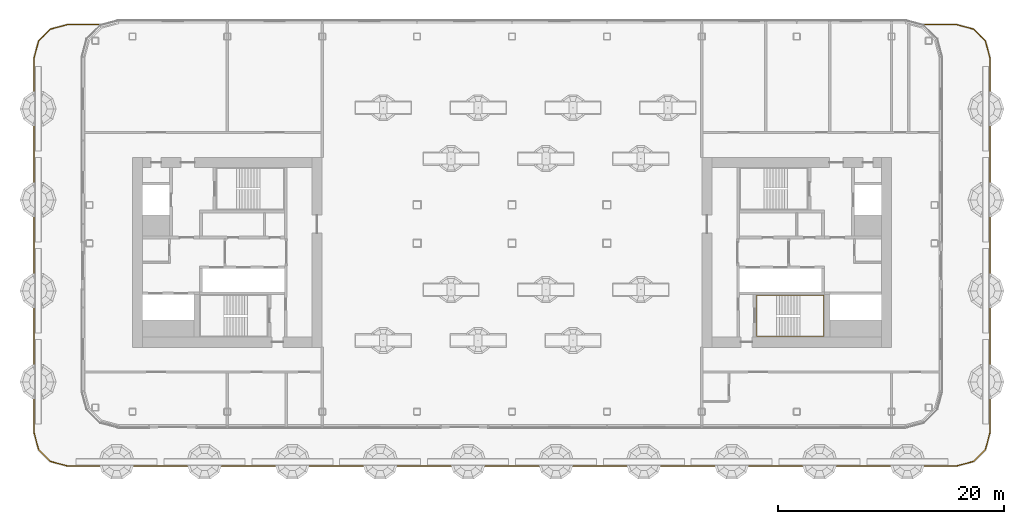
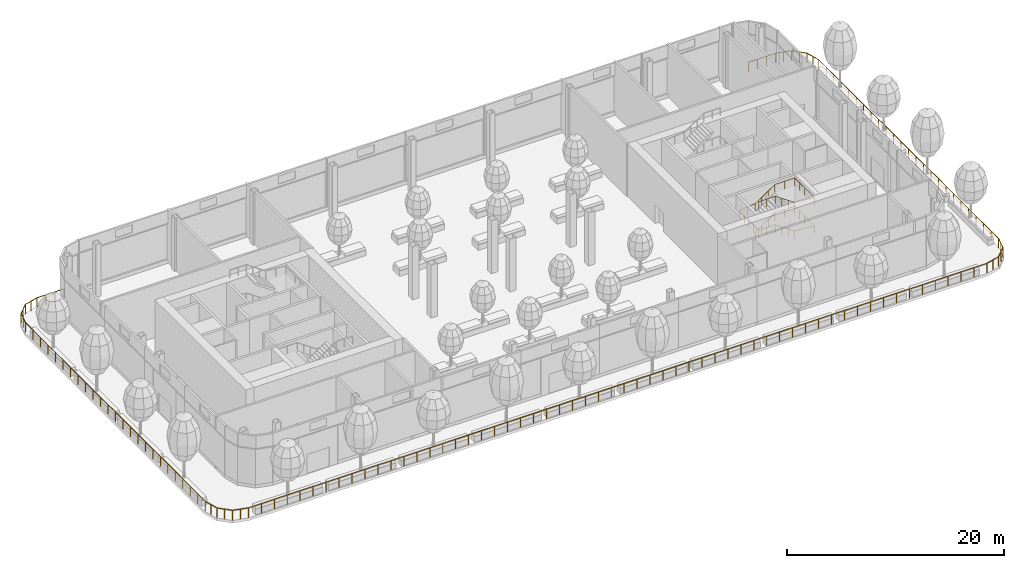
# One storey, part 32 of 41: 2 railings.
"""IFC4 building model written with IfcOpenShell, lengths in metres."""

from ifc_helpers import new_model, si_unit, direction, frame, origin, origin_2d, place, context, subcontext, project, spatial, circle, extrude, material, type_object, element, save


model = new_model("IFC4")

# Units and contexts
model_context = context("Model", 3, precision=1e-05, world=origin(), true_north=direction((0.0, 1.0)))
body_context = subcontext(model_context, "Body", "Model", "MODEL_VIEW")
ifc_project = project(units=[si_unit("LENGTHUNIT", "METRE"), si_unit("AREAUNIT", "SQUARE_METRE"), si_unit("VOLUMEUNIT", "CUBIC_METRE"), si_unit("PLANEANGLEUNIT", "RADIAN"), si_unit("MASSUNIT", "GRAM", prefix="KILO")], contexts=[model_context])

# Site, building, storey
site_placement = place(None, origin())
site = spatial("IfcSite", under=ifc_project, at=site_placement, CompositionType="ELEMENT")
building_placement = place(site_placement, origin())
building = spatial("IfcBuilding", under=site, at=building_placement, Name="Hakoniwa Tower and Hamabe Station Hall", CompositionType="ELEMENT")
storey_placement = place(building_placement, frame((0.0, 0.0, 180.199951171875)))
storey = spatial("IfcBuildingStorey", under=building, at=storey_placement, Name="L51", CompositionType="ELEMENT", Elevation=180.199951171875)

# Railings
ifc_material_1 = material(Name="Stainless steel SUS304", Category="steel")
railing_type_1 = type_object("IfcRailingType", Name="STAIR HANDRAIL 900", PredefinedType="HANDRAIL", material=ifc_material_1)
railing_1_placement = place(storey_placement, frame((23.39990234375, -3.81005859375, 0.177734375)))
element("IfcRailing", 1, at=railing_1_placement, inside=storey, type_object=railing_type_1, Name="Handrail ST-4 L51 1", PredefinedType="HANDRAIL", context=body_context, shape_type="SweptSolid", body=[
    extrude(circle(Radius=0.02392578125, at=origin_2d()), frame((0.0, 0.0, 0.8759765625), z_axis=(0.825464074169, 0.0, 0.564454659168), x_axis=(0.0, 1.0, 0.0)), (0.0, 0.0, 1.0), 2.519775390625),
    extrude(circle(Radius=0.02392578125, at=origin_2d()), frame((2.080078125, 0.0, 2.29833984375), z_axis=(1.0, 0.0, 0.0), x_axis=(0.0, 1.0, 0.0)), (0.0, 0.0, 1.0), 2.110107421875),
    extrude(circle(Radius=0.02392578125, at=origin_2d()), frame((4.190185546875, 0.0, 2.29833984375), z_axis=(0.0, -1.0, 0.0), x_axis=(1.0, 0.0, 0.0)), (0.0, 0.0, 1.0), 3.6298828125),
    extrude(circle(Radius=0.02392578125, at=origin_2d()), frame((4.190185546875, -3.6298828125, 2.29833984375), z_axis=(-0.996471417081, 0.0, 0.083932800143), x_axis=(0.0, -1.0, 0.0)), (0.0, 0.0, 1.0), 2.11767578125),
    extrude(circle(Radius=0.02392578125, at=origin_2d()), frame((2.080078125, -3.6298828125, 2.47607421875), z_axis=(-0.82550921652, 0.0, 0.564388636881), x_axis=(0.0, -1.0, 0.0)), (0.0, 0.0, 1.0), 2.519775390625),
    extrude(circle(Radius=0.02392578125, at=origin_2d()), frame((0.0, -3.6298828125, 3.89794921875), z_axis=(-1.0, 0.0, 0.0), x_axis=(0.0, -1.0, 0.0)), (0.0, 0.0, 1.0), 1.739990234375),
    extrude(circle(Radius=0.02392578125, at=origin_2d()), frame((-1.739990234375, -3.6298828125, 3.89794921875), z_axis=(0.0, 1.0, 0.0), x_axis=(-1.0, 0.0, 0.0)), (0.0, 0.0, 1.0), 3.6298828125),
    extrude(circle(Radius=0.02392578125, at=origin_2d()), frame((-1.739990234375, 0.0, 3.89794921875), z_axis=(0.994809372355, 0.0, 0.10175614318), x_axis=(0.0, 1.0, 0.0)), (0.0, 0.0, 1.0), 1.7490234375),
    extrude(circle(Radius=0.02392578125, at=origin_2d()), frame((0.0, 0.0, 4.076171875), z_axis=(0.82550921652, 0.0, 0.564388636881), x_axis=(0.0, 1.0, 0.0)), (0.0, 0.0, 1.0), 2.519775390625),
    extrude(circle(Radius=0.02392578125, at=origin_2d()), frame((2.080078125, 0.0, 5.498046875), z_axis=(1.0, 0.0, 0.0), x_axis=(0.0, 1.0, 0.0)), (0.0, 0.0, 1.0), 2.110107421875),
    extrude(circle(Radius=0.02392578125, at=origin_2d()), frame((4.190185546875, 0.0, 5.498046875), z_axis=(0.0, -1.0, 0.0), x_axis=(1.0, 0.0, 0.0)), (0.0, 0.0, 1.0), 3.6298828125),
    extrude(circle(Radius=0.02392578125, at=origin_2d()), frame((4.190185546875, -3.6298828125, 5.498046875), z_axis=(-0.996471417081, 0.0, 0.083932800143), x_axis=(0.0, -1.0, 0.0)), (0.0, 0.0, 1.0), 2.11767578125),
    extrude(circle(Radius=0.02392578125, at=origin_2d()), frame((2.080078125, -3.6298828125, 5.67578125), z_axis=(-0.825464074169, 0.0, 0.564454659168), x_axis=(0.0, -1.0, 0.0)), (0.0, 0.0, 1.0), 2.519775390625),
    extrude(circle(Radius=0.02392578125, at=origin_2d()), frame((0.0, -3.6298828125, 7.09814453125), z_axis=(-1.0, 0.0, 0.0), x_axis=(0.0, -1.0, 0.0)), (0.0, 0.0, 1.0), 1.739990234375),
    extrude(circle(Radius=0.02099609375, at=origin_2d()), origin(), (0.0, 0.0, 1.0), 0.851806640625),
    extrude(circle(Radius=0.02099609375, at=origin_2d()), frame((0.693359375, 0.0, 0.47412109375)), (0.0, 0.0, 1.0), 0.851806640625),
    extrude(circle(Radius=0.02099609375, at=origin_2d()), frame((1.38671875, 0.0, 0.9482421875)), (0.0, 0.0, 1.0), 0.851806640625),
    extrude(circle(Radius=0.02099609375, at=origin_2d()), frame((2.080078125, 0.0, 1.42236328125)), (0.0, 0.0, 1.0), 0.851806640625),
    extrude(circle(Radius=0.02099609375, at=origin_2d()), frame((3.13525390625, 0.0, 1.42236328125)), (0.0, 0.0, 1.0), 0.851806640625),
    extrude(circle(Radius=0.02099609375, at=origin_2d()), frame((4.190185546875, 0.0, 1.42236328125)), (0.0, 0.0, 1.0), 0.851806640625),
    extrude(circle(Radius=0.02099609375, at=origin_2d()), frame((4.190185546875, -0.907470703125, 1.42236328125)), (0.0, 0.0, 1.0), 0.851806640625),
    extrude(circle(Radius=0.02099609375, at=origin_2d()), frame((4.190185546875, -1.81494140625, 1.42236328125)), (0.0, 0.0, 1.0), 0.851806640625),
    extrude(circle(Radius=0.02099609375, at=origin_2d()), frame((4.190185546875, -2.722412109375, 1.42236328125)), (0.0, 0.0, 1.0), 0.851806640625),
    extrude(circle(Radius=0.02099609375, at=origin_2d()), frame((4.190185546875, -3.6298828125, 1.42236328125)), (0.0, 0.0, 1.0), 0.851806640625),
    extrude(circle(Radius=0.02099609375, at=origin_2d()), frame((3.13525390625, -3.6298828125, 1.51123046875)), (0.0, 0.0, 1.0), 0.851806640625),
    extrude(circle(Radius=0.02099609375, at=origin_2d()), frame((2.080078125, -3.6298828125, 1.60009765625)), (0.0, 0.0, 1.0), 0.851806640625),
    extrude(circle(Radius=0.02099609375, at=origin_2d()), frame((1.38671875, -3.6298828125, 2.07421875)), (0.0, 0.0, 1.0), 0.851806640625),
    extrude(circle(Radius=0.02099609375, at=origin_2d()), frame((0.693359375, -3.6298828125, 2.548095703125)), (0.0, 0.0, 1.0), 0.851806640625),
    extrude(circle(Radius=0.02099609375, at=origin_2d()), frame((0.0, -3.6298828125, 3.022216796875)), (0.0, 0.0, 1.0), 0.851806640625),
    extrude(circle(Radius=0.02099609375, at=origin_2d()), frame((-0.8701171875, -3.6298828125, 3.022216796875)), (0.0, 0.0, 1.0), 0.851806640625),
    extrude(circle(Radius=0.02099609375, at=origin_2d()), frame((-1.739990234375, -3.6298828125, 3.022216796875)), (0.0, 0.0, 1.0), 0.851806640625),
    extrude(circle(Radius=0.02099609375, at=origin_2d()), frame((-1.739990234375, -2.722412109375, 3.022216796875)), (0.0, 0.0, 1.0), 0.851806640625),
    extrude(circle(Radius=0.02099609375, at=origin_2d()), frame((-1.739990234375, -1.81494140625, 3.022216796875)), (0.0, 0.0, 1.0), 0.851806640625),
    extrude(circle(Radius=0.02099609375, at=origin_2d()), frame((-1.739990234375, -0.907470703125, 3.022216796875)), (0.0, 0.0, 1.0), 0.851806640625),
    extrude(circle(Radius=0.02099609375, at=origin_2d()), frame((-1.739990234375, 0.0, 3.022216796875)), (0.0, 0.0, 1.0), 0.851806640625),
    extrude(circle(Radius=0.02099609375, at=origin_2d()), frame((-0.8701171875, 0.0, 3.111328125)), (0.0, 0.0, 1.0), 0.851806640625),
    extrude(circle(Radius=0.02099609375, at=origin_2d()), frame((0.0, 0.0, 3.2001953125)), (0.0, 0.0, 1.0), 0.851806640625),
    extrude(circle(Radius=0.02099609375, at=origin_2d()), frame((0.693359375, 0.0, 3.67431640625)), (0.0, 0.0, 1.0), 0.851806640625),
    extrude(circle(Radius=0.02099609375, at=origin_2d()), frame((1.38671875, 0.0, 4.148193359375)), (0.0, 0.0, 1.0), 0.851806640625),
    extrude(circle(Radius=0.02099609375, at=origin_2d()), frame((2.080078125, 0.0, 4.622314453125)), (0.0, 0.0, 1.0), 0.851806640625),
    extrude(circle(Radius=0.02099609375, at=origin_2d()), frame((3.13525390625, 0.0, 4.622314453125)), (0.0, 0.0, 1.0), 0.851806640625),
    extrude(circle(Radius=0.02099609375, at=origin_2d()), frame((4.190185546875, 0.0, 4.622314453125)), (0.0, 0.0, 1.0), 0.851806640625),
    extrude(circle(Radius=0.02099609375, at=origin_2d()), frame((4.190185546875, -0.907470703125, 4.622314453125)), (0.0, 0.0, 1.0), 0.851806640625),
    extrude(circle(Radius=0.02099609375, at=origin_2d()), frame((4.190185546875, -1.81494140625, 4.622314453125)), (0.0, 0.0, 1.0), 0.851806640625),
    extrude(circle(Radius=0.02099609375, at=origin_2d()), frame((4.190185546875, -2.722412109375, 4.622314453125)), (0.0, 0.0, 1.0), 0.851806640625),
    extrude(circle(Radius=0.02099609375, at=origin_2d()), frame((4.190185546875, -3.6298828125, 4.622314453125)), (0.0, 0.0, 1.0), 0.851806640625),
    extrude(circle(Radius=0.02099609375, at=origin_2d()), frame((3.13525390625, -3.6298828125, 4.711181640625)), (0.0, 0.0, 1.0), 0.851806640625),
    extrude(circle(Radius=0.02099609375, at=origin_2d()), frame((2.080078125, -3.6298828125, 4.800048828125)), (0.0, 0.0, 1.0), 0.851806640625),
    extrude(circle(Radius=0.02099609375, at=origin_2d()), frame((1.38671875, -3.6298828125, 5.274169921875)), (0.0, 0.0, 1.0), 0.851806640625),
    extrude(circle(Radius=0.02099609375, at=origin_2d()), frame((0.693359375, -3.6298828125, 5.748291015625)), (0.0, 0.0, 1.0), 0.851806640625),
    extrude(circle(Radius=0.02099609375, at=origin_2d()), frame((0.0, -3.6298828125, 6.222412109375)), (0.0, 0.0, 1.0), 0.851806640625),
    extrude(circle(Radius=0.02099609375, at=origin_2d()), frame((-0.8701171875, -3.6298828125, 6.222412109375)), (0.0, 0.0, 1.0), 0.851806640625),
    extrude(circle(Radius=0.02099609375, at=origin_2d()), frame((-1.739990234375, -3.6298828125, 6.222412109375)), (0.0, 0.0, 1.0), 0.851806640625),
])
ifc_material_2 = material(Name="Stainless steel and laminated glass", Category="steel")
railing_type_2 = type_object("IfcRailingType", Name="TERRACE BALUSTRADE 1100", PredefinedType="BALUSTRADE", material=ifc_material_2)
railing_2_placement = place(storey_placement, frame((-36.5, 20.15087890625, 0.0)))
element("IfcRailing", 2, at=railing_2_placement, inside=storey, type_object=railing_type_2, Name="Terrace balustrade", PredefinedType="BALUSTRADE", context=body_context, shape_type="SweptSolid", body=[
    extrude(circle(Radius=0.02392578125, at=origin_2d()), frame((0.0, 0.0, 1.076171875), z_axis=(-1.0, 0.0, 0.0), x_axis=(0.0, -1.0, 0.0)), (0.0, 0.0, 1.0), 2.886962890625),
    extrude(circle(Radius=0.02392578125, at=origin_2d()), frame((-2.886962890625, 0.0, 1.076171875), z_axis=(-0.965934369252, -0.258787160227, 0.0), x_axis=(0.258787160227, -0.965934369252, 0.0)), (0.0, 0.0, 1.0), 1.51318359375),
    extrude(circle(Radius=0.02392578125, at=origin_2d()), frame((-4.3486328125, -0.3916015625, 1.076171875), z_axis=(-0.707106781187, -0.707106781187, 0.0), x_axis=(0.707106781187, -0.707106781187, 0.0)), (0.0, 0.0, 1.0), 1.499755859375),
    extrude(circle(Radius=0.02392578125, at=origin_2d()), frame((-5.4091796875, -1.4521484375, 1.076171875), z_axis=(-0.258937684451, -0.965894029162, 0.0), x_axis=(0.965894029162, -0.258937684451, 0.0)), (0.0, 0.0, 1.0), 1.51318359375),
    extrude(circle(Radius=0.02392578125, at=origin_2d()), frame((-5.801025390625, -2.913818359375, 1.076171875), z_axis=(0.0, -1.0, 0.0), x_axis=(1.0, 0.0, 0.0)), (0.0, 0.0, 1.0), 33.223876953125),
    extrude(circle(Radius=0.02392578125, at=origin_2d()), frame((-5.801025390625, -36.1376953125, 1.076171875), z_axis=(0.258897340379, -0.965904843732, 0.0), x_axis=(0.965904843732, 0.258897340379, 0.0)), (0.0, 0.0, 1.0), 1.513427734375),
    extrude(circle(Radius=0.02392578125, at=origin_2d()), frame((-5.4091796875, -37.599609375, 1.076171875), z_axis=(0.707106781187, -0.707106781187, 0.0), x_axis=(0.707106781187, 0.707106781187, 0.0)), (0.0, 0.0, 1.0), 1.499755859375),
    extrude(circle(Radius=0.02392578125, at=origin_2d()), frame((-4.3486328125, -38.66015625, 1.076171875), z_axis=(0.965945171702, -0.258746836241, 0.0), x_axis=(0.258746836241, 0.965945171702, 0.0)), (0.0, 0.0, 1.0), 1.513427734375),
    extrude(circle(Radius=0.02392578125, at=origin_2d()), frame((-2.88671875, -39.0517578125, 1.076171875), z_axis=(1.0, 0.0, 0.0), x_axis=(0.0, 1.0, 0.0)), (0.0, 0.0, 1.0), 78.7734375),
    extrude(circle(Radius=0.02392578125, at=origin_2d()), frame((75.88671875, -39.0517578125, 1.076171875), z_axis=(0.965945171702, 0.258746836241, 0.0), x_axis=(-0.258746836241, 0.965945171702, 0.0)), (0.0, 0.0, 1.0), 1.513427734375),
    extrude(circle(Radius=0.02392578125, at=origin_2d()), frame((77.3486328125, -38.66015625, 1.076171875), z_axis=(0.707106781187, 0.707106781187, 0.0), x_axis=(-0.707106781187, 0.707106781187, 0.0)), (0.0, 0.0, 1.0), 1.499755859375),
    extrude(circle(Radius=0.02392578125, at=origin_2d()), frame((78.4091796875, -37.599609375, 1.076171875), z_axis=(0.258897340379, 0.965904843732, 0.0), x_axis=(-0.965904843732, 0.258897340379, 0.0)), (0.0, 0.0, 1.0), 1.513427734375),
    extrude(circle(Radius=0.02392578125, at=origin_2d()), frame((78.801025390625, -36.1376953125, 1.076171875), z_axis=(0.0, 1.0, 0.0), x_axis=(-1.0, 0.0, 0.0)), (0.0, 0.0, 1.0), 33.2236328125),
    extrude(circle(Radius=0.02392578125, at=origin_2d()), frame((78.801025390625, -2.9140625, 1.076171875), z_axis=(-0.258787160227, 0.965934369252, 0.0), x_axis=(-0.965934369252, -0.258787160227, 0.0)), (0.0, 0.0, 1.0), 1.51318359375),
    extrude(circle(Radius=0.02392578125, at=origin_2d()), frame((78.409423828125, -1.452392578125, 1.076171875), z_axis=(-0.707025396969, 0.707188156038, 0.0), x_axis=(-0.707188156038, -0.707025396969, 0.0)), (0.0, 0.0, 1.0), 1.5),
    extrude(circle(Radius=0.02392578125, at=origin_2d()), frame((77.348876953125, -0.3916015625, 1.076171875), z_axis=(-0.965945171702, 0.258746836241, 0.0), x_axis=(-0.258746836241, -0.965945171702, 0.0)), (0.0, 0.0, 1.0), 1.513427734375),
    extrude(circle(Radius=0.02392578125, at=origin_2d()), frame((75.886962890625, 0.0, 1.076171875), z_axis=(-1.0, 0.0, 0.0), x_axis=(0.0, -1.0, 0.0)), (0.0, 0.0, 1.0), 2.886962890625),
    extrude(circle(Radius=0.02099609375, at=origin_2d()), origin(), (0.0, 0.0, 1.0), 1.052001953125),
    extrude(circle(Radius=0.02099609375, at=origin_2d()), frame((-0.96240234375, 0.0, 0.0)), (0.0, 0.0, 1.0), 1.052001953125),
    extrude(circle(Radius=0.02099609375, at=origin_2d()), frame((-1.924560546875, 0.0, 0.0)), (0.0, 0.0, 1.0), 1.052001953125),
    extrude(circle(Radius=0.02099609375, at=origin_2d()), frame((-2.886962890625, 0.0, 0.0)), (0.0, 0.0, 1.0), 1.052001953125),
    extrude(circle(Radius=0.02099609375, at=origin_2d()), frame((-3.61767578125, -0.19580078125, 0.0)), (0.0, 0.0, 1.0), 1.052001953125),
    extrude(circle(Radius=0.02099609375, at=origin_2d()), frame((-4.3486328125, -0.3916015625, 0.0)), (0.0, 0.0, 1.0), 1.052001953125),
    extrude(circle(Radius=0.02099609375, at=origin_2d()), frame((-4.87890625, -0.921875, 0.0)), (0.0, 0.0, 1.0), 1.052001953125),
    extrude(circle(Radius=0.02099609375, at=origin_2d()), frame((-5.4091796875, -1.4521484375, 0.0)), (0.0, 0.0, 1.0), 1.052001953125),
    extrude(circle(Radius=0.02099609375, at=origin_2d()), frame((-5.60498046875, -2.18310546875, 0.0)), (0.0, 0.0, 1.0), 1.052001953125),
    extrude(circle(Radius=0.02099609375, at=origin_2d()), frame((-5.801025390625, -2.913818359375, 0.0)), (0.0, 0.0, 1.0), 1.052001953125),
    extrude(circle(Radius=0.02099609375, at=origin_2d()), frame((-5.801025390625, -4.298095703125, 0.0)), (0.0, 0.0, 1.0), 1.052001953125),
    extrude(circle(Radius=0.02099609375, at=origin_2d()), frame((-5.801025390625, -5.682373046875, 0.0)), (0.0, 0.0, 1.0), 1.052001953125),
    extrude(circle(Radius=0.02099609375, at=origin_2d()), frame((-5.801025390625, -7.06689453125, 0.0)), (0.0, 0.0, 1.0), 1.052001953125),
    extrude(circle(Radius=0.02099609375, at=origin_2d()), frame((-5.801025390625, -8.451171875, 0.0)), (0.0, 0.0, 1.0), 1.052001953125),
    extrude(circle(Radius=0.02099609375, at=origin_2d()), frame((-5.801025390625, -9.83544921875, 0.0)), (0.0, 0.0, 1.0), 1.052001953125),
    extrude(circle(Radius=0.02099609375, at=origin_2d()), frame((-5.801025390625, -11.2197265625, 0.0)), (0.0, 0.0, 1.0), 1.052001953125),
    extrude(circle(Radius=0.02099609375, at=origin_2d()), frame((-5.801025390625, -12.60400390625, 0.0)), (0.0, 0.0, 1.0), 1.052001953125),
    extrude(circle(Radius=0.02099609375, at=origin_2d()), frame((-5.801025390625, -13.988525390625, 0.0)), (0.0, 0.0, 1.0), 1.052001953125),
    extrude(circle(Radius=0.02099609375, at=origin_2d()), frame((-5.801025390625, -15.372802734375, 0.0)), (0.0, 0.0, 1.0), 1.052001953125),
    extrude(circle(Radius=0.02099609375, at=origin_2d()), frame((-5.801025390625, -16.757080078125, 0.0)), (0.0, 0.0, 1.0), 1.052001953125),
    extrude(circle(Radius=0.02099609375, at=origin_2d()), frame((-5.801025390625, -18.141357421875, 0.0)), (0.0, 0.0, 1.0), 1.052001953125),
    extrude(circle(Radius=0.02099609375, at=origin_2d()), frame((-5.801025390625, -19.52587890625, 0.0)), (0.0, 0.0, 1.0), 1.052001953125),
    extrude(circle(Radius=0.02099609375, at=origin_2d()), frame((-5.801025390625, -20.91015625, 0.0)), (0.0, 0.0, 1.0), 1.052001953125),
    extrude(circle(Radius=0.02099609375, at=origin_2d()), frame((-5.801025390625, -22.29443359375, 0.0)), (0.0, 0.0, 1.0), 1.052001953125),
    extrude(circle(Radius=0.02099609375, at=origin_2d()), frame((-5.801025390625, -23.6787109375, 0.0)), (0.0, 0.0, 1.0), 1.052001953125),
    extrude(circle(Radius=0.02099609375, at=origin_2d()), frame((-5.801025390625, -25.06298828125, 0.0)), (0.0, 0.0, 1.0), 1.052001953125),
    extrude(circle(Radius=0.02099609375, at=origin_2d()), frame((-5.801025390625, -26.447509765625, 0.0)), (0.0, 0.0, 1.0), 1.052001953125),
    extrude(circle(Radius=0.02099609375, at=origin_2d()), frame((-5.801025390625, -27.831787109375, 0.0)), (0.0, 0.0, 1.0), 1.052001953125),
    extrude(circle(Radius=0.02099609375, at=origin_2d()), frame((-5.801025390625, -29.216064453125, 0.0)), (0.0, 0.0, 1.0), 1.052001953125),
    extrude(circle(Radius=0.02099609375, at=origin_2d()), frame((-5.801025390625, -30.600341796875, 0.0)), (0.0, 0.0, 1.0), 1.052001953125),
    extrude(circle(Radius=0.02099609375, at=origin_2d()), frame((-5.801025390625, -31.984619140625, 0.0)), (0.0, 0.0, 1.0), 1.052001953125),
    extrude(circle(Radius=0.02099609375, at=origin_2d()), frame((-5.801025390625, -33.369140625, 0.0)), (0.0, 0.0, 1.0), 1.052001953125),
    extrude(circle(Radius=0.02099609375, at=origin_2d()), frame((-5.801025390625, -34.75341796875, 0.0)), (0.0, 0.0, 1.0), 1.052001953125),
    extrude(circle(Radius=0.02099609375, at=origin_2d()), frame((-5.801025390625, -36.1376953125, 0.0)), (0.0, 0.0, 1.0), 1.052001953125),
    extrude(circle(Radius=0.02099609375, at=origin_2d()), frame((-5.60498046875, -36.86865234375, 0.0)), (0.0, 0.0, 1.0), 1.052001953125),
    extrude(circle(Radius=0.02099609375, at=origin_2d()), frame((-5.4091796875, -37.599609375, 0.0)), (0.0, 0.0, 1.0), 1.052001953125),
    extrude(circle(Radius=0.02099609375, at=origin_2d()), frame((-4.87890625, -38.1298828125, 0.0)), (0.0, 0.0, 1.0), 1.052001953125),
    extrude(circle(Radius=0.02099609375, at=origin_2d()), frame((-4.3486328125, -38.66015625, 0.0)), (0.0, 0.0, 1.0), 1.052001953125),
    extrude(circle(Radius=0.02099609375, at=origin_2d()), frame((-3.61767578125, -38.85595703125, 0.0)), (0.0, 0.0, 1.0), 1.052001953125),
    extrude(circle(Radius=0.02099609375, at=origin_2d()), frame((-2.88671875, -39.0517578125, 0.0)), (0.0, 0.0, 1.0), 1.052001953125),
    extrude(circle(Radius=0.02099609375, at=origin_2d()), frame((-1.504638671875, -39.0517578125, 0.0)), (0.0, 0.0, 1.0), 1.052001953125),
    extrude(circle(Radius=0.02099609375, at=origin_2d()), frame((-0.122802734375, -39.0517578125, 0.0)), (0.0, 0.0, 1.0), 1.052001953125),
    extrude(circle(Radius=0.02099609375, at=origin_2d()), frame((1.25927734375, -39.0517578125, 0.0)), (0.0, 0.0, 1.0), 1.052001953125),
    extrude(circle(Radius=0.02099609375, at=origin_2d()), frame((2.641357421875, -39.0517578125, 0.0)), (0.0, 0.0, 1.0), 1.052001953125),
    extrude(circle(Radius=0.02099609375, at=origin_2d()), frame((4.023193359375, -39.0517578125, 0.0)), (0.0, 0.0, 1.0), 1.052001953125),
    extrude(circle(Radius=0.02099609375, at=origin_2d()), frame((5.4052734375, -39.0517578125, 0.0)), (0.0, 0.0, 1.0), 1.052001953125),
    extrude(circle(Radius=0.02099609375, at=origin_2d()), frame((6.787109375, -39.0517578125, 0.0)), (0.0, 0.0, 1.0), 1.052001953125),
    extrude(circle(Radius=0.02099609375, at=origin_2d()), frame((8.169189453125, -39.0517578125, 0.0)), (0.0, 0.0, 1.0), 1.052001953125),
    extrude(circle(Radius=0.02099609375, at=origin_2d()), frame((9.55126953125, -39.0517578125, 0.0)), (0.0, 0.0, 1.0), 1.052001953125),
    extrude(circle(Radius=0.02099609375, at=origin_2d()), frame((10.93310546875, -39.0517578125, 0.0)), (0.0, 0.0, 1.0), 1.052001953125),
    extrude(circle(Radius=0.02099609375, at=origin_2d()), frame((12.315185546875, -39.0517578125, 0.0)), (0.0, 0.0, 1.0), 1.052001953125),
    extrude(circle(Radius=0.02099609375, at=origin_2d()), frame((13.697265625, -39.0517578125, 0.0)), (0.0, 0.0, 1.0), 1.052001953125),
    extrude(circle(Radius=0.02099609375, at=origin_2d()), frame((15.0791015625, -39.0517578125, 0.0)), (0.0, 0.0, 1.0), 1.052001953125),
    extrude(circle(Radius=0.02099609375, at=origin_2d()), frame((16.461181640625, -39.0517578125, 0.0)), (0.0, 0.0, 1.0), 1.052001953125),
    extrude(circle(Radius=0.02099609375, at=origin_2d()), frame((17.843017578125, -39.0517578125, 0.0)), (0.0, 0.0, 1.0), 1.052001953125),
    extrude(circle(Radius=0.02099609375, at=origin_2d()), frame((19.22509765625, -39.0517578125, 0.0)), (0.0, 0.0, 1.0), 1.052001953125),
    extrude(circle(Radius=0.02099609375, at=origin_2d()), frame((20.607177734375, -39.0517578125, 0.0)), (0.0, 0.0, 1.0), 1.052001953125),
    extrude(circle(Radius=0.02099609375, at=origin_2d()), frame((21.989013671875, -39.0517578125, 0.0)), (0.0, 0.0, 1.0), 1.052001953125),
    extrude(circle(Radius=0.02099609375, at=origin_2d()), frame((23.37109375, -39.0517578125, 0.0)), (0.0, 0.0, 1.0), 1.052001953125),
    extrude(circle(Radius=0.02099609375, at=origin_2d()), frame((24.753173828125, -39.0517578125, 0.0)), (0.0, 0.0, 1.0), 1.052001953125),
    extrude(circle(Radius=0.02099609375, at=origin_2d()), frame((26.135009765625, -39.0517578125, 0.0)), (0.0, 0.0, 1.0), 1.052001953125),
    extrude(circle(Radius=0.02099609375, at=origin_2d()), frame((27.51708984375, -39.0517578125, 0.0)), (0.0, 0.0, 1.0), 1.052001953125),
    extrude(circle(Radius=0.02099609375, at=origin_2d()), frame((28.899169921875, -39.0517578125, 0.0)), (0.0, 0.0, 1.0), 1.052001953125),
    extrude(circle(Radius=0.02099609375, at=origin_2d()), frame((30.281005859375, -39.0517578125, 0.0)), (0.0, 0.0, 1.0), 1.052001953125),
    extrude(circle(Radius=0.02099609375, at=origin_2d()), frame((31.6630859375, -39.0517578125, 0.0)), (0.0, 0.0, 1.0), 1.052001953125),
    extrude(circle(Radius=0.02099609375, at=origin_2d()), frame((33.044921875, -39.0517578125, 0.0)), (0.0, 0.0, 1.0), 1.052001953125),
    extrude(circle(Radius=0.02099609375, at=origin_2d()), frame((34.427001953125, -39.0517578125, 0.0)), (0.0, 0.0, 1.0), 1.052001953125),
    extrude(circle(Radius=0.02099609375, at=origin_2d()), frame((35.80908203125, -39.0517578125, 0.0)), (0.0, 0.0, 1.0), 1.052001953125),
    extrude(circle(Radius=0.02099609375, at=origin_2d()), frame((37.19091796875, -39.0517578125, 0.0)), (0.0, 0.0, 1.0), 1.052001953125),
    extrude(circle(Radius=0.02099609375, at=origin_2d()), frame((38.572998046875, -39.0517578125, 0.0)), (0.0, 0.0, 1.0), 1.052001953125),
    extrude(circle(Radius=0.02099609375, at=origin_2d()), frame((39.955078125, -39.0517578125, 0.0)), (0.0, 0.0, 1.0), 1.052001953125),
    extrude(circle(Radius=0.02099609375, at=origin_2d()), frame((41.3369140625, -39.0517578125, 0.0)), (0.0, 0.0, 1.0), 1.052001953125),
    extrude(circle(Radius=0.02099609375, at=origin_2d()), frame((42.718994140625, -39.0517578125, 0.0)), (0.0, 0.0, 1.0), 1.052001953125),
    extrude(circle(Radius=0.02099609375, at=origin_2d()), frame((44.100830078125, -39.0517578125, 0.0)), (0.0, 0.0, 1.0), 1.052001953125),
    extrude(circle(Radius=0.02099609375, at=origin_2d()), frame((45.48291015625, -39.0517578125, 0.0)), (0.0, 0.0, 1.0), 1.052001953125),
    extrude(circle(Radius=0.02099609375, at=origin_2d()), frame((46.864990234375, -39.0517578125, 0.0)), (0.0, 0.0, 1.0), 1.052001953125),
    extrude(circle(Radius=0.02099609375, at=origin_2d()), frame((48.246826171875, -39.0517578125, 0.0)), (0.0, 0.0, 1.0), 1.052001953125),
    extrude(circle(Radius=0.02099609375, at=origin_2d()), frame((49.62890625, -39.0517578125, 0.0)), (0.0, 0.0, 1.0), 1.052001953125),
    extrude(circle(Radius=0.02099609375, at=origin_2d()), frame((51.010986328125, -39.0517578125, 0.0)), (0.0, 0.0, 1.0), 1.052001953125),
    extrude(circle(Radius=0.02099609375, at=origin_2d()), frame((52.392822265625, -39.0517578125, 0.0)), (0.0, 0.0, 1.0), 1.052001953125),
    extrude(circle(Radius=0.02099609375, at=origin_2d()), frame((53.77490234375, -39.0517578125, 0.0)), (0.0, 0.0, 1.0), 1.052001953125),
    extrude(circle(Radius=0.02099609375, at=origin_2d()), frame((55.156982421875, -39.0517578125, 0.0)), (0.0, 0.0, 1.0), 1.052001953125),
    extrude(circle(Radius=0.02099609375, at=origin_2d()), frame((56.538818359375, -39.0517578125, 0.0)), (0.0, 0.0, 1.0), 1.052001953125),
    extrude(circle(Radius=0.02099609375, at=origin_2d()), frame((57.9208984375, -39.0517578125, 0.0)), (0.0, 0.0, 1.0), 1.052001953125),
    extrude(circle(Radius=0.02099609375, at=origin_2d()), frame((59.302734375, -39.0517578125, 0.0)), (0.0, 0.0, 1.0), 1.052001953125),
    extrude(circle(Radius=0.02099609375, at=origin_2d()), frame((60.684814453125, -39.0517578125, 0.0)), (0.0, 0.0, 1.0), 1.052001953125),
    extrude(circle(Radius=0.02099609375, at=origin_2d()), frame((62.06689453125, -39.0517578125, 0.0)), (0.0, 0.0, 1.0), 1.052001953125),
    extrude(circle(Radius=0.02099609375, at=origin_2d()), frame((63.44873046875, -39.0517578125, 0.0)), (0.0, 0.0, 1.0), 1.052001953125),
    extrude(circle(Radius=0.02099609375, at=origin_2d()), frame((64.830810546875, -39.0517578125, 0.0)), (0.0, 0.0, 1.0), 1.052001953125),
    extrude(circle(Radius=0.02099609375, at=origin_2d()), frame((66.212890625, -39.0517578125, 0.0)), (0.0, 0.0, 1.0), 1.052001953125),
    extrude(circle(Radius=0.02099609375, at=origin_2d()), frame((67.5947265625, -39.0517578125, 0.0)), (0.0, 0.0, 1.0), 1.052001953125),
    extrude(circle(Radius=0.02099609375, at=origin_2d()), frame((68.976806640625, -39.0517578125, 0.0)), (0.0, 0.0, 1.0), 1.052001953125),
    extrude(circle(Radius=0.02099609375, at=origin_2d()), frame((70.358642578125, -39.0517578125, 0.0)), (0.0, 0.0, 1.0), 1.052001953125),
    extrude(circle(Radius=0.02099609375, at=origin_2d()), frame((71.74072265625, -39.0517578125, 0.0)), (0.0, 0.0, 1.0), 1.052001953125),
    extrude(circle(Radius=0.02099609375, at=origin_2d()), frame((73.122802734375, -39.0517578125, 0.0)), (0.0, 0.0, 1.0), 1.052001953125),
    extrude(circle(Radius=0.02099609375, at=origin_2d()), frame((74.504638671875, -39.0517578125, 0.0)), (0.0, 0.0, 1.0), 1.052001953125),
    extrude(circle(Radius=0.02099609375, at=origin_2d()), frame((75.88671875, -39.0517578125, 0.0)), (0.0, 0.0, 1.0), 1.052001953125),
    extrude(circle(Radius=0.02099609375, at=origin_2d()), frame((76.61767578125, -38.85595703125, 0.0)), (0.0, 0.0, 1.0), 1.052001953125),
    extrude(circle(Radius=0.02099609375, at=origin_2d()), frame((77.3486328125, -38.66015625, 0.0)), (0.0, 0.0, 1.0), 1.052001953125),
    extrude(circle(Radius=0.02099609375, at=origin_2d()), frame((77.87890625, -38.1298828125, 0.0)), (0.0, 0.0, 1.0), 1.052001953125),
    extrude(circle(Radius=0.02099609375, at=origin_2d()), frame((78.4091796875, -37.599609375, 0.0)), (0.0, 0.0, 1.0), 1.052001953125),
    extrude(circle(Radius=0.02099609375, at=origin_2d()), frame((78.60498046875, -36.86865234375, 0.0)), (0.0, 0.0, 1.0), 1.052001953125),
    extrude(circle(Radius=0.02099609375, at=origin_2d()), frame((78.801025390625, -36.1376953125, 0.0)), (0.0, 0.0, 1.0), 1.052001953125),
    extrude(circle(Radius=0.02099609375, at=origin_2d()), frame((78.801025390625, -34.75341796875, 0.0)), (0.0, 0.0, 1.0), 1.052001953125),
    extrude(circle(Radius=0.02099609375, at=origin_2d()), frame((78.801025390625, -33.369140625, 0.0)), (0.0, 0.0, 1.0), 1.052001953125),
    extrude(circle(Radius=0.02099609375, at=origin_2d()), frame((78.801025390625, -31.98486328125, 0.0)), (0.0, 0.0, 1.0), 1.052001953125),
    extrude(circle(Radius=0.02099609375, at=origin_2d()), frame((78.801025390625, -30.600341796875, 0.0)), (0.0, 0.0, 1.0), 1.052001953125),
    extrude(circle(Radius=0.02099609375, at=origin_2d()), frame((78.801025390625, -29.216064453125, 0.0)), (0.0, 0.0, 1.0), 1.052001953125),
    extrude(circle(Radius=0.02099609375, at=origin_2d()), frame((78.801025390625, -27.831787109375, 0.0)), (0.0, 0.0, 1.0), 1.052001953125),
    extrude(circle(Radius=0.02099609375, at=origin_2d()), frame((78.801025390625, -26.447509765625, 0.0)), (0.0, 0.0, 1.0), 1.052001953125),
    extrude(circle(Radius=0.02099609375, at=origin_2d()), frame((78.801025390625, -25.063232421875, 0.0)), (0.0, 0.0, 1.0), 1.052001953125),
    extrude(circle(Radius=0.02099609375, at=origin_2d()), frame((78.801025390625, -23.6787109375, 0.0)), (0.0, 0.0, 1.0), 1.052001953125),
    extrude(circle(Radius=0.02099609375, at=origin_2d()), frame((78.801025390625, -22.29443359375, 0.0)), (0.0, 0.0, 1.0), 1.052001953125),
    extrude(circle(Radius=0.02099609375, at=origin_2d()), frame((78.801025390625, -20.91015625, 0.0)), (0.0, 0.0, 1.0), 1.052001953125),
    extrude(circle(Radius=0.02099609375, at=origin_2d()), frame((78.801025390625, -19.52587890625, 0.0)), (0.0, 0.0, 1.0), 1.052001953125),
    extrude(circle(Radius=0.02099609375, at=origin_2d()), frame((78.801025390625, -18.1416015625, 0.0)), (0.0, 0.0, 1.0), 1.052001953125),
    extrude(circle(Radius=0.02099609375, at=origin_2d()), frame((78.801025390625, -16.75732421875, 0.0)), (0.0, 0.0, 1.0), 1.052001953125),
    extrude(circle(Radius=0.02099609375, at=origin_2d()), frame((78.801025390625, -15.373046875, 0.0)), (0.0, 0.0, 1.0), 1.052001953125),
    extrude(circle(Radius=0.02099609375, at=origin_2d()), frame((78.801025390625, -13.988525390625, 0.0)), (0.0, 0.0, 1.0), 1.052001953125),
    extrude(circle(Radius=0.02099609375, at=origin_2d()), frame((78.801025390625, -12.604248046875, 0.0)), (0.0, 0.0, 1.0), 1.052001953125),
    extrude(circle(Radius=0.02099609375, at=origin_2d()), frame((78.801025390625, -11.219970703125, 0.0)), (0.0, 0.0, 1.0), 1.052001953125),
    extrude(circle(Radius=0.02099609375, at=origin_2d()), frame((78.801025390625, -9.835693359375, 0.0)), (0.0, 0.0, 1.0), 1.052001953125),
    extrude(circle(Radius=0.02099609375, at=origin_2d()), frame((78.801025390625, -8.451416015625, 0.0)), (0.0, 0.0, 1.0), 1.052001953125),
    extrude(circle(Radius=0.02099609375, at=origin_2d()), frame((78.801025390625, -7.06689453125, 0.0)), (0.0, 0.0, 1.0), 1.052001953125),
    extrude(circle(Radius=0.02099609375, at=origin_2d()), frame((78.801025390625, -5.6826171875, 0.0)), (0.0, 0.0, 1.0), 1.052001953125),
    extrude(circle(Radius=0.02099609375, at=origin_2d()), frame((78.801025390625, -4.29833984375, 0.0)), (0.0, 0.0, 1.0), 1.052001953125),
    extrude(circle(Radius=0.02099609375, at=origin_2d()), frame((78.801025390625, -2.9140625, 0.0)), (0.0, 0.0, 1.0), 1.052001953125),
    extrude(circle(Radius=0.02099609375, at=origin_2d()), frame((78.605224609375, -2.18310546875, 0.0)), (0.0, 0.0, 1.0), 1.052001953125),
    extrude(circle(Radius=0.02099609375, at=origin_2d()), frame((78.409423828125, -1.452392578125, 0.0)), (0.0, 0.0, 1.0), 1.052001953125),
    extrude(circle(Radius=0.02099609375, at=origin_2d()), frame((77.879150390625, -0.921875, 0.0)), (0.0, 0.0, 1.0), 1.052001953125),
    extrude(circle(Radius=0.02099609375, at=origin_2d()), frame((77.348876953125, -0.3916015625, 0.0)), (0.0, 0.0, 1.0), 1.052001953125),
    extrude(circle(Radius=0.02099609375, at=origin_2d()), frame((76.617919921875, -0.19580078125, 0.0)), (0.0, 0.0, 1.0), 1.052001953125),
    extrude(circle(Radius=0.02099609375, at=origin_2d()), frame((75.886962890625, 0.0, 0.0)), (0.0, 0.0, 1.0), 1.052001953125),
    extrude(circle(Radius=0.02099609375, at=origin_2d()), frame((74.924560546875, 0.0, 0.0)), (0.0, 0.0, 1.0), 1.052001953125),
    extrude(circle(Radius=0.02099609375, at=origin_2d()), frame((73.96240234375, 0.0, 0.0)), (0.0, 0.0, 1.0), 1.052001953125),
    extrude(circle(Radius=0.02099609375, at=origin_2d()), frame((73.0, 0.0, 0.0)), (0.0, 0.0, 1.0), 1.052001953125),
])

save(model, "model.ifc")
